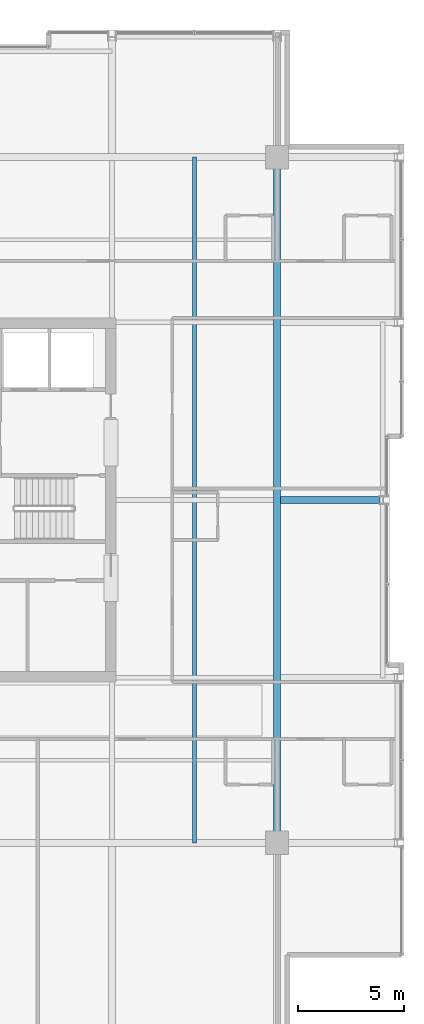
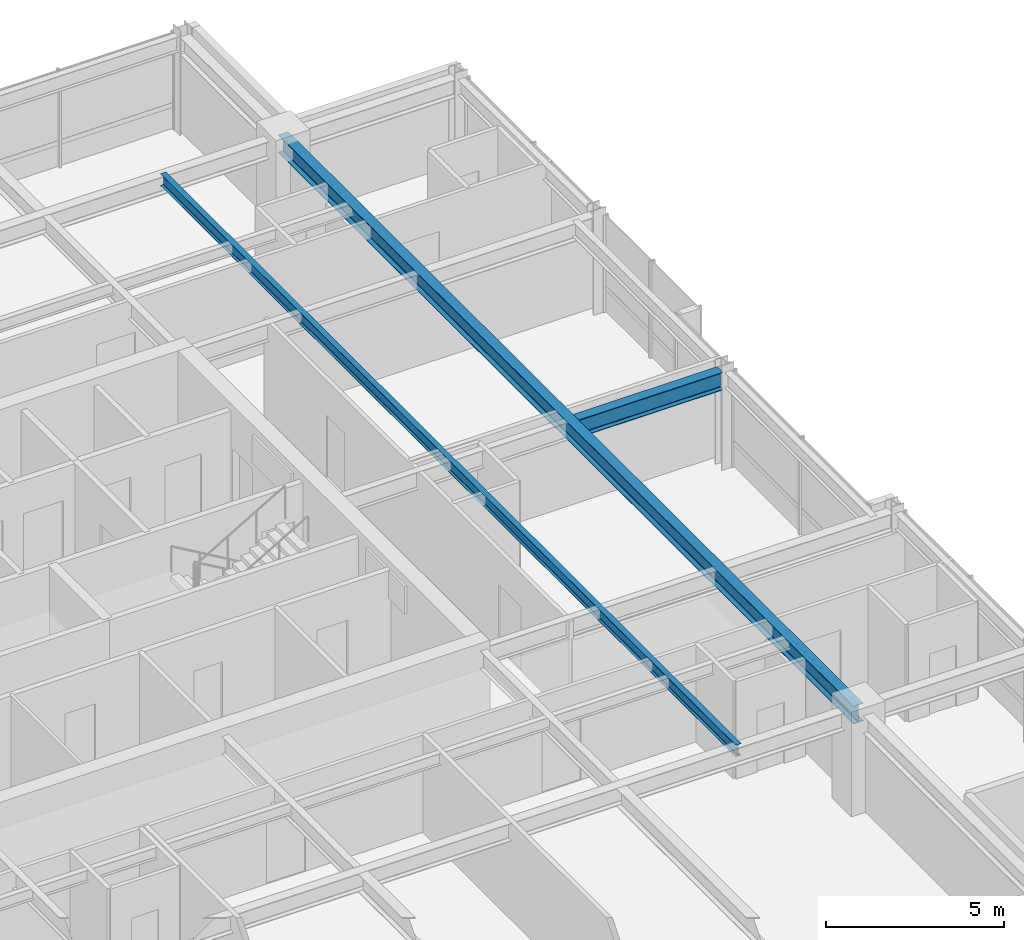
# One storey, part 15 of 30: 3 beams.
"""IFC4 building model written with IfcOpenShell, lengths in metres."""

from ifc_helpers import new_model, si_unit, direction, frame, origin, origin_2d, place, context, subcontext, project, spatial, i_section, extrude, material, material_profile, profile_set, type_object, element, save


model = new_model("IFC4")

# Units and contexts
model_context = context("Model", 3, precision=1e-05, world=origin(), true_north=direction((0.0, 1.0)))
body_context = subcontext(model_context, "Body", "Model", "MODEL_VIEW")
ifc_project = project(units=[si_unit("LENGTHUNIT", "METRE"), si_unit("AREAUNIT", "SQUARE_METRE"), si_unit("VOLUMEUNIT", "CUBIC_METRE"), si_unit("PLANEANGLEUNIT", "RADIAN"), si_unit("MASSUNIT", "GRAM", prefix="KILO")], contexts=[model_context])

# Site, building, storey
site_placement = place(None, origin())
site = spatial("IfcSite", under=ifc_project, at=site_placement, CompositionType="ELEMENT")
building_placement = place(site_placement, origin())
building = spatial("IfcBuilding", under=site, at=building_placement, Name="Drelvath Grand Hotel", CompositionType="ELEMENT")
storey_placement = place(building_placement, frame((0.0, 0.0, 215.89990234375)))
storey = spatial("IfcBuildingStorey", under=building, at=storey_placement, Name="L56", CompositionType="ELEMENT", Elevation=215.89990234375)

# Beams
ifc_material = material(Name="Steel ASTM A992 Gr 50", Category="steel")
ifc_material_profile_1 = material_profile(ifc_material, i_section(OverallWidth=0.177734375, OverallDepth=0.40673828125, WebThickness=0.0078125, FlangeThickness=0.0126953125, FilletRadius=0.014892578125, at=origin_2d()), Name="W16X40")
ifc_profile_set_1 = profile_set([ifc_material_profile_1], Name="Steel ASTM A992 Gr 50")
beam_type_1 = type_object("IfcBeamType", Name="Composite Floor Joist W16X40", PredefinedType="JOIST", material=ifc_profile_set_1)
beam_1_placement = place(storey_placement, frame((12.300048828125, 10.800048828125, 3.13671875), z_axis=(0.0, 1.0, 0.0), x_axis=(-1.0, 0.0, 0.0)))
element("IfcBeam", 1, at=beam_1_placement, inside=storey, type_object=beam_type_1, Name="L56 Wing Floor Joist J4", PredefinedType="JOIST", context=body_context, shape_type="SweptSolid", body=[
    extrude(i_section(OverallWidth=0.177734375, OverallDepth=0.40673828125, WebThickness=0.0078125, FlangeThickness=0.0126953125, FilletRadius=0.014892578125, at=origin_2d()), origin(), (0.0, 0.0, 1.0), 32.39990234375),
])
ifc_material_profile_2 = material_profile(ifc_material, i_section(OverallWidth=0.323974609375, OverallDepth=0.611083984375, WebThickness=0.0126953125, FlangeThickness=0.01904296875, FilletRadius=0.02197265625, at=origin_2d()), Name="W24X104")
ifc_profile_set_2 = profile_set([ifc_material_profile_2], Name="Steel ASTM A992 Gr 50")
beam_type_2 = type_object("IfcBeamType", Name="Primary Floor Girder W24X104", PredefinedType="BEAM", material=ifc_profile_set_2)
beam_2_placement = place(storey_placement, frame((16.199951171875, 10.800048828125, 3.034423828125), z_axis=(0.0, 1.0, 0.0), x_axis=(-1.0, 0.0, 0.0)))
element("IfcBeam", 2, at=beam_2_placement, inside=storey, type_object=beam_type_2, Name="L56 Mega Ring Girder East", PredefinedType="BEAM", context=body_context, shape_type="SweptSolid", body=[
    extrude(i_section(OverallWidth=0.323974609375, OverallDepth=0.611083984375, WebThickness=0.0126953125, FlangeThickness=0.01904296875, FilletRadius=0.02197265625, at=origin_2d()), origin(), (0.0, 0.0, 1.0), 32.39990234375),
])
beam_3_placement = place(storey_placement, frame((16.362060546875, 27.0, 3.034423828125), z_axis=(1.0, 0.0, 0.0), x_axis=(0.0, 1.0, 0.0)))
element("IfcBeam", 3, at=beam_3_placement, inside=storey, type_object=beam_type_2, Name="L56 East Wing Girder E", PredefinedType="BEAM", context=body_context, shape_type="SweptSolid", body=[
    extrude(i_section(OverallWidth=0.323974609375, OverallDepth=0.611083984375, WebThickness=0.0126953125, FlangeThickness=0.01904296875, FilletRadius=0.02197265625, at=origin_2d()), origin(), (0.0, 0.0, 1.0), 4.697998046875),
])

save(model, "model.ifc")
